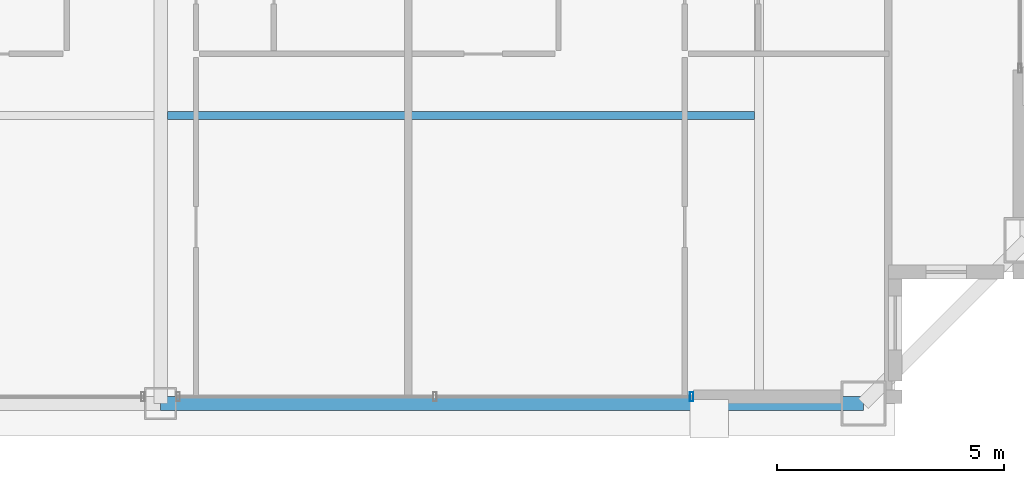
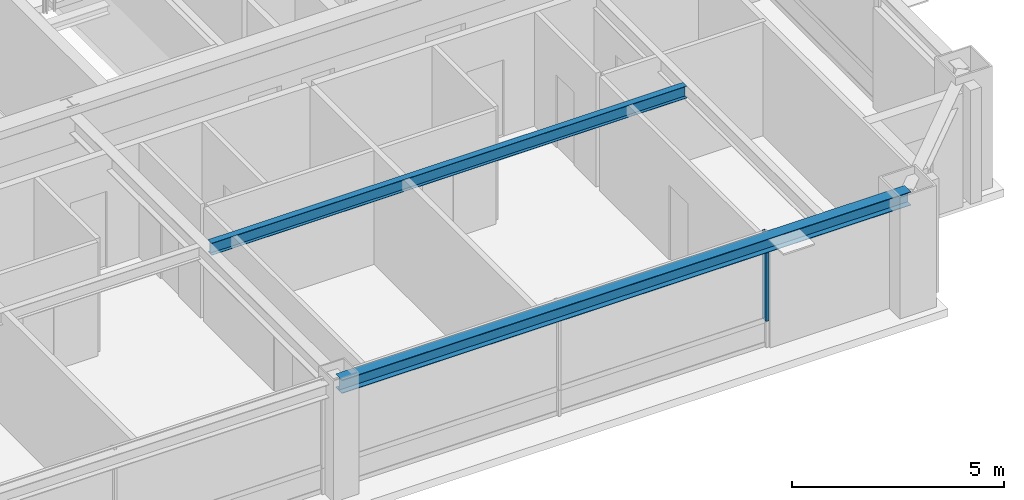
# One storey, part 9 of 35: 2 beams, 1 member, 1 element without a shape of its own.
"""IFC4 building model written with IfcOpenShell, lengths in metres."""

from ifc_helpers import new_model, si_unit, direction, frame, origin, origin_2d, place, context, subcontext, project, spatial, hollow_rectangle, i_section, extrude, source, transform, mapped, material, layer, layer_set, material_profile, profile_set, type_object, element, aggregate, save


model = new_model("IFC4")

# Units and contexts
model_context = context("Model", 3, precision=1e-05, world=origin(), true_north=direction((0.0, 1.0)))
body_context = subcontext(model_context, "Body", "Model", "MODEL_VIEW")
ifc_project = project(units=[si_unit("LENGTHUNIT", "METRE"), si_unit("AREAUNIT", "SQUARE_METRE"), si_unit("VOLUMEUNIT", "CUBIC_METRE"), si_unit("PLANEANGLEUNIT", "RADIAN"), si_unit("MASSUNIT", "GRAM", prefix="KILO"), si_unit("THERMODYNAMICTEMPERATUREUNIT", "KELVIN"), si_unit("POWERUNIT", "WATT")], contexts=[model_context])

# Site, building, storey
site_placement = place(None, origin())
site = spatial("IfcSite", under=ifc_project, at=site_placement, CompositionType="ELEMENT")
building_placement = place(site_placement, origin())
building = spatial("IfcBuilding", under=site, at=building_placement, Name="Yuzanri Waterfront Tower", CompositionType="ELEMENT")
storey_placement = place(building_placement, frame((0.0, 0.0, 289.10009765625)))
storey = spatial("IfcBuildingStorey", under=building, at=storey_placement, Name="L77", CompositionType="ELEMENT", Elevation=289.10009765625)

# Beams
ifc_material_1 = material(Name="Steel Q355B", Category="steel")
ifc_material_profile_1 = material_profile(ifc_material_1, i_section(OverallWidth=0.175048828125, OverallDepth=0.35009765625, WebThickness=0.007080078125, FlangeThickness=0.010986328125, at=origin_2d()), Name="HN 350x175x7x11")
ifc_profile_set_1 = profile_set([ifc_material_profile_1], Name="Steel Q355B")
beam_type_1 = type_object("IfcBeamType", Name="Floor Joist Q355B HN 350x175", PredefinedType="JOIST", material=ifc_profile_set_1)
shared_shape_1 = source(origin(), body_context, "Body", "SweptSolid", [
    extrude(i_section(OverallWidth=0.175048828125, OverallDepth=0.35009765625, WebThickness=0.007080078125, FlangeThickness=0.010986328125, at=origin_2d()), origin(), (0.0, 0.0, 1.0), 12.9501953125),
])
beam_1_placement = place(storey_placement, frame((37.14990234375, 13.050048828125, 3.10498046875), z_axis=(1.0, 0.0, 0.0), x_axis=(0.0, 1.0, 0.0)))
element("IfcBeam", 1, at=beam_1_placement, inside=storey, type_object=beam_type_1, Name="L77 South Bay Joist E", PredefinedType="JOIST", context=body_context, shape_type="MappedRepresentation", body=[
    mapped(shared_shape_1, transform((0.0, 0.0, 0.0), scale=1.0)),
])
ifc_material_2 = material(Name="Steel Q355B", Category="steel")
ifc_material_profile_2 = material_profile(ifc_material_2, i_section(OverallWidth=0.300048828125, OverallDepth=0.389892578125, WebThickness=0.010009765625, FlangeThickness=0.01611328125, at=origin_2d()), Name="HM 390x300x10x16")
ifc_profile_set_2 = profile_set([ifc_material_profile_2], Name="Steel Q355B")
beam_type_2 = type_object("IfcBeamType", Name="Perimeter Spandrel Q355B HM 390x300", PredefinedType="SPANDREL", material=ifc_profile_set_2)
shared_shape_2 = source(origin(), body_context, "Body", "SweptSolid", [
    extrude(i_section(OverallWidth=0.300048828125, OverallDepth=0.389892578125, WebThickness=0.010009765625, FlangeThickness=0.01611328125, at=origin_2d()), origin(), (0.0, 0.0, 1.0), 15.5),
])
beam_2_placement = place(storey_placement, frame((37.0, 6.699951171875, 3.0849609375), z_axis=(1.0, 0.0, 0.0), x_axis=(0.0, 1.0, 0.0)))
element("IfcBeam", 2, at=beam_2_placement, inside=storey, type_object=beam_type_2, Name="L77 Perimeter Spandrel S2-S3", PredefinedType="SPANDREL", context=body_context, shape_type="MappedRepresentation", body=[
    mapped(shared_shape_2, transform((0.0, 0.0, 0.0), scale=1.0)),
])

# Curtain wall, member
ifc_material_3 = material(Name="Anodized Architectural Bronze", Category="metal")
ifc_layer = layer(ifc_material_3, 0.159912109375)
ifc_layer_set = layer_set([ifc_layer], Name="Anodized Architectural Bronze")
curtain_wall_type = type_object("IfcCurtainWallType", Name="Anodized Bronze High-Rise Penthouse High-Wind Unitized Curtain Wall 6900", PredefinedType="NOTDEFINED", material=ifc_layer_set)
curtain_wall_placement = place(storey_placement, origin())
curtain_wall = element("IfcCurtainWall", 3, at=curtain_wall_placement, inside=storey, type_object=curtain_wall_type, Name="L77 Curtain Wall CW-L77-SR", PredefinedType="NOTDEFINED")
ifc_material_4 = material(Name="Anodized Architectural Bronze", Category="metal")
ifc_material_profile_3 = material_profile(ifc_material_4, hollow_rectangle(XDim=0.074951171875, YDim=0.199951171875, WallThickness=0.00390625, at=origin_2d()), Name="CWM 75x200")
ifc_profile_set_3 = profile_set([ifc_material_profile_3], Name="Anodized Architectural Bronze")
member_type = type_object("IfcMemberType", Name="Anodized Bronze Primary Curtain-Wall Mullion 75x200", PredefinedType="MULLION", material=ifc_profile_set_3)
shared_shape_3 = source(origin(), body_context, "Body", "SweptSolid", [
    extrude(hollow_rectangle(XDim=0.074951171875, YDim=0.199951171875, WallThickness=0.00390625, at=origin_2d()), origin(), (0.0, 0.0, 1.0), 2.52392578125),
])
member_placement = place(storey_placement, frame((48.7099609375, 6.85009765625, 0.755859375), z_axis=(0.0, 0.0, 1.0), x_axis=(1.0, 0.0, 0.0)))
member = element("IfcMember", 4, at=member_placement, type_object=member_type, Name="CW-L77-SR Upper Mullion 02", PredefinedType="MULLION", context=body_context, shape_type="MappedRepresentation", body=[
    mapped(shared_shape_3, transform((0.0, 0.0, 0.0), scale=1.0)),
])
aggregate(curtain_wall, [member])

save(model, "model.ifc")
